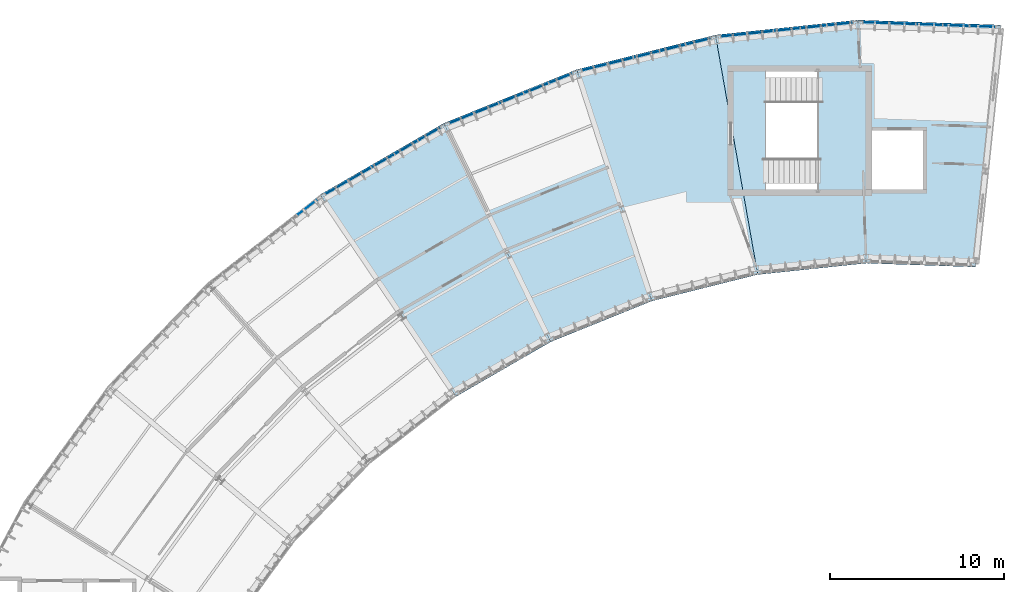
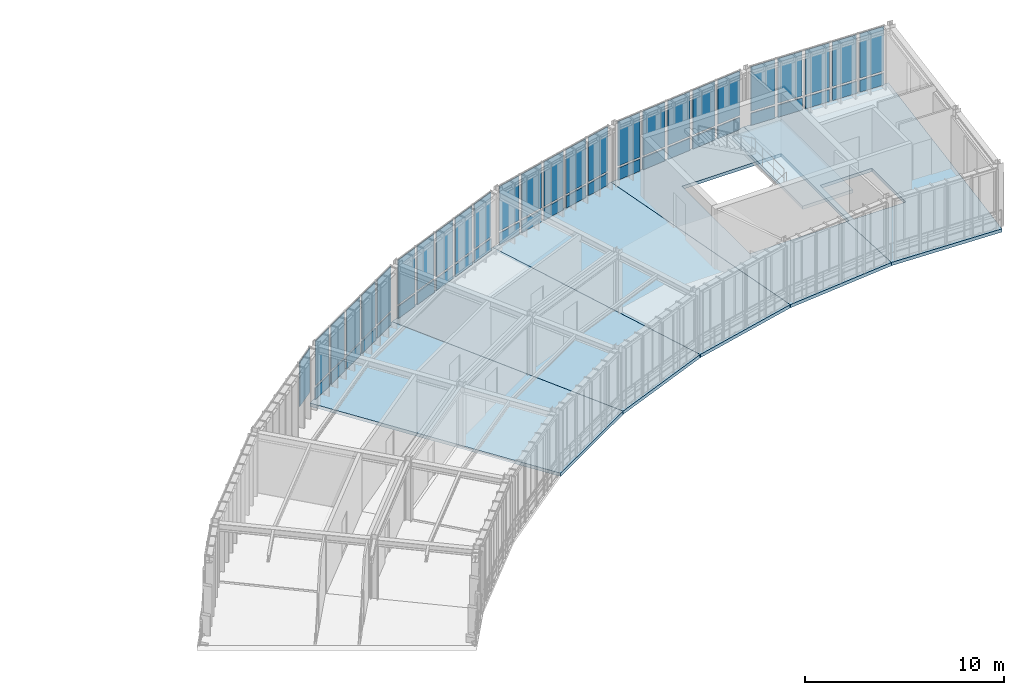
# One storey, part 22 of 41: 51 plates, 6 slabs, 7 elements without a shape of their own.
"""IFC4 building model written with IfcOpenShell, lengths in metres."""

from ifc_helpers import new_model, si_unit, direction, frame, origin, origin_2d, place, context, subcontext, project, spatial, polyline, rectangle, outline, extrude, material, layer, layer_set, type_object, element, aggregate, save


model = new_model("IFC4")

# Units and contexts
model_context = context("Model", 3, precision=1e-05, world=origin(), true_north=direction((0.0, 1.0)))
body_context = subcontext(model_context, "Body", "Model", "MODEL_VIEW")
ifc_project = project(units=[si_unit("LENGTHUNIT", "METRE"), si_unit("AREAUNIT", "SQUARE_METRE"), si_unit("VOLUMEUNIT", "CUBIC_METRE"), si_unit("PLANEANGLEUNIT", "RADIAN"), si_unit("MASSUNIT", "GRAM", prefix="KILO"), si_unit("THERMODYNAMICTEMPERATUREUNIT", "KELVIN"), si_unit("POWERUNIT", "WATT")], contexts=[model_context])

# Site, building, storey
site_placement = place(None, origin())
site = spatial("IfcSite", under=ifc_project, at=site_placement, CompositionType="ELEMENT")
building_placement = place(site_placement, origin())
building = spatial("IfcBuilding", under=site, at=building_placement, Name="Solvatero Civic Police Headquarters", CompositionType="ELEMENT")
storey_placement = place(building_placement, frame((0.0, 0.0, 17.699951171875)))
storey = spatial("IfcBuildingStorey", under=building, at=storey_placement, Name="L04", CompositionType="ELEMENT", Elevation=17.699951171875)

# Curtain wall, plates
ifc_material_1 = material(Name="Anodized Bronze Aluminium", Category="aluminium")
ifc_layer_1 = layer(ifc_material_1, 0.179931640625)
ifc_layer_set_1 = layer_set([ifc_layer_1], Name="Anodized Bronze Aluminium")
curtain_wall_type = type_object("IfcCurtainWallType", Name="CW-ARC-OUT", PredefinedType="USERDEFINED", material=ifc_layer_set_1)
curtain_wall_1_placement = place(storey_placement, origin())
curtain_wall_1 = element("IfcCurtainWall", 1, at=curtain_wall_1_placement, inside=storey, type_object=curtain_wall_type, Name="Curtain Wall CW-R2-L04-ARC-OUT-B01", ObjectType="UNITISED", PredefinedType="USERDEFINED")
ifc_material_2 = material(Name="Triple Low-E Laminated Glass", Category="glass")
ifc_layer_2 = layer(ifc_material_2, 0.0380859375)
ifc_layer_set_2 = layer_set([ifc_layer_2], Name="Triple Low-E Laminated Glass")
plate_type_1 = type_object("IfcPlateType", Name="CWP-GLZ-38", PredefinedType="CURTAIN_PANEL", material=ifc_layer_set_2)
plate_1_placement = place(storey_placement, frame((99.14501953125, 84.592529296875, 0.91015625), z_axis=(0.0, 0.0, 1.0), x_axis=(-0.999390217756, 0.034916939358, 0.0)))
plate_1 = element("IfcPlate", 2, at=plate_1_placement, type_object=plate_type_1, Name="CW-R2-L04-ARC-OUT-B01 Vision Glazing 1", PredefinedType="CURTAIN_PANEL", context=body_context, shape_type="SweptSolid", body=[
    extrude(rectangle(XDim=1.368408203125, YDim=0.0380859375, at=origin_2d()), origin(), (0.0, 0.0, 1.0), 2.72998046875),
])
plate_2_placement = place(storey_placement, frame((96.0498046875, 84.70068359375, 0.91015625), z_axis=(0.0, 0.0, 1.0), x_axis=(-0.999390217756, 0.034916939358, 0.0)))
plate_2 = element("IfcPlate", 3, at=plate_2_placement, type_object=plate_type_1, Name="CW-R2-L04-ARC-OUT-B01 Vision Glazing 3", PredefinedType="CURTAIN_PANEL", context=body_context, shape_type="SweptSolid", body=[
    extrude(rectangle(XDim=1.368408203125, YDim=0.0380859375, at=origin_2d()), origin(), (0.0, 0.0, 1.0), 2.72998046875),
])
plate_3_placement = place(storey_placement, frame((92.954833984375, 84.808837890625, 0.91015625), z_axis=(0.0, 0.0, 1.0), x_axis=(-0.999390217756, 0.034916939358, 0.0)))
plate_3 = element("IfcPlate", 4, at=plate_3_placement, type_object=plate_type_1, Name="CW-R2-L04-ARC-OUT-B01 Vision Glazing 5", PredefinedType="CURTAIN_PANEL", context=body_context, shape_type="SweptSolid", body=[
    extrude(rectangle(XDim=1.368408203125, YDim=0.0380859375, at=origin_2d()), origin(), (0.0, 0.0, 1.0), 2.72998046875),
])

curtain_wall_2_placement = place(storey_placement, origin())
curtain_wall_2 = element("IfcCurtainWall", 5, at=curtain_wall_2_placement, inside=storey, type_object=curtain_wall_type, Name="Curtain Wall CW-R2-L04-ARC-OUT-B02", ObjectType="UNITISED", PredefinedType="USERDEFINED")
plate_4_placement = place(storey_placement, frame((90.940185546875, 84.738525390625, 0.91015625), z_axis=(0.0, 0.0, 1.0), x_axis=(-0.994523719583, -0.10451110557, 0.0)))
plate_4 = element("IfcPlate", 6, at=plate_4_placement, type_object=plate_type_1, Name="CW-R2-L04-ARC-OUT-B02 Vision Glazing 1", PredefinedType="CURTAIN_PANEL", context=body_context, shape_type="SweptSolid", body=[
    extrude(rectangle(XDim=1.368408203125, YDim=0.0380859375, at=origin_2d()), origin(), (0.0, 0.0, 1.0), 2.72998046875),
])
plate_5_placement = place(storey_placement, frame((87.8603515625, 84.414794921875, 0.91015625), z_axis=(0.0, 0.0, 1.0), x_axis=(-0.994523719583, -0.10451110557, 0.0)))
plate_5 = element("IfcPlate", 7, at=plate_5_placement, type_object=plate_type_1, Name="CW-R2-L04-ARC-OUT-B02 Vision Glazing 3", PredefinedType="CURTAIN_PANEL", context=body_context, shape_type="SweptSolid", body=[
    extrude(rectangle(XDim=1.368408203125, YDim=0.0380859375, at=origin_2d()), origin(), (0.0, 0.0, 1.0), 2.72998046875),
])
plate_6_placement = place(storey_placement, frame((84.7802734375, 84.091064453125, 0.91015625), z_axis=(0.0, 0.0, 1.0), x_axis=(-0.994523719583, -0.10451110557, 0.0)))
plate_6 = element("IfcPlate", 8, at=plate_6_placement, type_object=plate_type_1, Name="CW-R2-L04-ARC-OUT-B02 Vision Glazing 5", PredefinedType="CURTAIN_PANEL", context=body_context, shape_type="SweptSolid", body=[
    extrude(rectangle(XDim=1.368408203125, YDim=0.0380859375, at=origin_2d()), origin(), (0.0, 0.0, 1.0), 2.72998046875),
])

curtain_wall_3_placement = place(storey_placement, origin())
curtain_wall_3 = element("IfcCurtainWall", 9, at=curtain_wall_3_placement, inside=storey, type_object=curtain_wall_type, Name="Curtain Wall CW-R2-L04-ARC-OUT-B03", ObjectType="UNITISED", PredefinedType="USERDEFINED")
plate_7_placement = place(storey_placement, frame((82.794189453125, 83.740966796875, 0.91015625), z_axis=(0.0, 0.0, 1.0), x_axis=(-0.970295726276, -0.2419218956, 0.0)))
plate_7 = element("IfcPlate", 10, at=plate_7_placement, type_object=plate_type_1, Name="CW-R2-L04-ARC-OUT-B03 Vision Glazing 1", PredefinedType="CURTAIN_PANEL", context=body_context, shape_type="SweptSolid", body=[
    extrude(rectangle(XDim=1.37060546875, YDim=0.0380859375, at=origin_2d()), origin(), (0.0, 0.0, 1.0), 2.72998046875),
])
plate_8_placement = place(storey_placement, frame((79.785400390625, 82.99072265625, 0.91015625), z_axis=(0.0, 0.0, 1.0), x_axis=(-0.970295726276, -0.2419218956, 0.0)))
plate_8 = element("IfcPlate", 11, at=plate_8_placement, type_object=plate_type_1, Name="CW-R2-L04-ARC-OUT-B03 Vision Glazing 3", PredefinedType="CURTAIN_PANEL", context=body_context, shape_type="SweptSolid", body=[
    extrude(rectangle(XDim=1.37060546875, YDim=0.0380859375, at=origin_2d()), origin(), (0.0, 0.0, 1.0), 2.72998046875),
])
plate_9_placement = place(storey_placement, frame((76.776611328125, 82.240478515625, 0.91015625), z_axis=(0.0, 0.0, 1.0), x_axis=(-0.970295726276, -0.2419218956, 0.0)))
plate_9 = element("IfcPlate", 12, at=plate_9_placement, type_object=plate_type_1, Name="CW-R2-L04-ARC-OUT-B03 Vision Glazing 5", PredefinedType="CURTAIN_PANEL", context=body_context, shape_type="SweptSolid", body=[
    extrude(rectangle(XDim=1.37060546875, YDim=0.0380859375, at=origin_2d()), origin(), (0.0, 0.0, 1.0), 2.72998046875),
])

curtain_wall_4_placement = place(storey_placement, origin())
curtain_wall_4 = element("IfcCurtainWall", 13, at=curtain_wall_4_placement, inside=storey, type_object=curtain_wall_type, Name="Curtain Wall CW-R2-L04-ARC-OUT-B04", ObjectType="UNITISED", PredefinedType="USERDEFINED")
plate_10_placement = place(storey_placement, frame((74.876708984375, 81.623046875, 0.91015625), z_axis=(0.0, 0.0, 1.0), x_axis=(-0.927190392544, -0.374590410948, 0.0)))
plate_10 = element("IfcPlate", 14, at=plate_10_placement, type_object=plate_type_1, Name="CW-R2-L04-ARC-OUT-B04 Vision Glazing 1", PredefinedType="CURTAIN_PANEL", context=body_context, shape_type="SweptSolid", body=[
    extrude(rectangle(XDim=1.37060546875, YDim=0.0380859375, at=origin_2d()), origin(), (0.0, 0.0, 1.0), 2.72998046875),
])
plate_11_placement = place(storey_placement, frame((72.001708984375, 80.46142578125, 0.91015625), z_axis=(0.0, 0.0, 1.0), x_axis=(-0.927190392544, -0.374590410948, 0.0)))
plate_11 = element("IfcPlate", 15, at=plate_11_placement, type_object=plate_type_1, Name="CW-R2-L04-ARC-OUT-B04 Vision Glazing 3", PredefinedType="CURTAIN_PANEL", context=body_context, shape_type="SweptSolid", body=[
    extrude(rectangle(XDim=1.37060546875, YDim=0.0380859375, at=origin_2d()), origin(), (0.0, 0.0, 1.0), 2.72998046875),
])
plate_12_placement = place(storey_placement, frame((69.126220703125, 79.2998046875, 0.91015625), z_axis=(0.0, 0.0, 1.0), x_axis=(-0.927190392544, -0.374590410948, 0.0)))
plate_12 = element("IfcPlate", 16, at=plate_12_placement, type_object=plate_type_1, Name="CW-R2-L04-ARC-OUT-B04 Vision Glazing 5", PredefinedType="CURTAIN_PANEL", context=body_context, shape_type="SweptSolid", body=[
    extrude(rectangle(XDim=1.37060546875, YDim=0.0380859375, at=origin_2d()), origin(), (0.0, 0.0, 1.0), 2.72998046875),
])

curtain_wall_5_placement = place(storey_placement, origin())
curtain_wall_5 = element("IfcCurtainWall", 17, at=curtain_wall_5_placement, inside=storey, type_object=curtain_wall_type, Name="Curtain Wall CW-R2-L04-ARC-OUT-B05", ObjectType="UNITISED", PredefinedType="USERDEFINED")
plate_13_placement = place(storey_placement, frame((67.312744140625, 78.415283203125, 0.91015625), z_axis=(0.0, 0.0, 1.0), x_axis=(-0.866025403784, -0.5, 0.0)))
plate_13 = element("IfcPlate", 18, at=plate_13_placement, type_object=plate_type_1, Name="CW-R2-L04-ARC-OUT-B05 Vision Glazing 1", PredefinedType="CURTAIN_PANEL", context=body_context, shape_type="SweptSolid", body=[
    extrude(rectangle(XDim=1.37060546875, YDim=0.0380859375, at=origin_2d()), origin(), (0.0, 0.0, 1.0), 2.72998046875),
])
plate_14_placement = place(storey_placement, frame((64.62744140625, 76.86474609375, 0.91015625), z_axis=(0.0, 0.0, 1.0), x_axis=(-0.866025403784, -0.5, 0.0)))
plate_14 = element("IfcPlate", 19, at=plate_14_placement, type_object=plate_type_1, Name="CW-R2-L04-ARC-OUT-B05 Vision Glazing 3", PredefinedType="CURTAIN_PANEL", context=body_context, shape_type="SweptSolid", body=[
    extrude(rectangle(XDim=1.37060546875, YDim=0.0380859375, at=origin_2d()), origin(), (0.0, 0.0, 1.0), 2.72998046875),
])
plate_15_placement = place(storey_placement, frame((61.94189453125, 75.314453125, 0.91015625), z_axis=(0.0, 0.0, 1.0), x_axis=(-0.866025403784, -0.5, 0.0)))
plate_15 = element("IfcPlate", 20, at=plate_15_placement, type_object=plate_type_1, Name="CW-R2-L04-ARC-OUT-B05 Vision Glazing 5", PredefinedType="CURTAIN_PANEL", context=body_context, shape_type="SweptSolid", body=[
    extrude(rectangle(XDim=1.37060546875, YDim=0.0380859375, at=origin_2d()), origin(), (0.0, 0.0, 1.0), 2.72998046875),
])

# Curtain wall, plate
curtain_wall_6_placement = place(storey_placement, origin())
curtain_wall_6 = element("IfcCurtainWall", 21, at=curtain_wall_6_placement, inside=storey, type_object=curtain_wall_type, Name="Curtain Wall CW-R2-L04-ARC-OUT-B06", ObjectType="UNITISED", PredefinedType="USERDEFINED")
plate_16_placement = place(storey_placement, frame((60.28564453125, 74.197265625, 0.91015625), z_axis=(0.0, 0.0, 1.0), x_axis=(-0.788010753607, -0.615661475326, 0.0)))
plate_16 = element("IfcPlate", 22, at=plate_16_placement, type_object=plate_type_1, Name="CW-R2-L04-ARC-OUT-B06 Vision Glazing 1", PredefinedType="CURTAIN_PANEL", context=body_context, shape_type="SweptSolid", body=[
    extrude(rectangle(XDim=1.37060546875, YDim=0.0380859375, at=origin_2d()), origin(), (0.0, 0.0, 1.0), 2.72998046875),
])
aggregate(curtain_wall_6, [plate_16])

# Plate
ifc_material_3 = material(Name="Acoustic Ballistic Laminated Glass", Category="glass")
ifc_layer_3 = layer(ifc_material_3, 0.0439453125)
ifc_layer_set_3 = layer_set([ifc_layer_3], Name="Acoustic Ballistic Laminated Glass")
plate_type_2 = type_object("IfcPlateType", Name="CWP-GLZ-44", PredefinedType="CURTAIN_PANEL", material=ifc_layer_set_3)
plate_17_placement = place(storey_placement, frame((97.597412109375, 84.646728515625, 0.91015625), z_axis=(0.0, 0.0, 1.0), x_axis=(-0.999390217756, 0.034916939358, 0.0)))
plate_17 = element("IfcPlate", 23, at=plate_17_placement, type_object=plate_type_2, Name="CW-R2-L04-ARC-OUT-B01 Vision Glazing 2", PredefinedType="CURTAIN_PANEL", context=body_context, shape_type="SweptSolid", body=[
    extrude(rectangle(XDim=1.368408203125, YDim=0.0439453125, at=origin_2d()), origin(), (0.0, 0.0, 1.0), 2.72998046875),
])

plate_18_placement = place(storey_placement, frame((94.502197265625, 84.7548828125, 0.91015625), z_axis=(0.0, 0.0, 1.0), x_axis=(-0.999390217756, 0.034916939358, 0.0)))
plate_18 = element("IfcPlate", 24, at=plate_18_placement, type_object=plate_type_2, Name="CW-R2-L04-ARC-OUT-B01 Vision Glazing 4", PredefinedType="CURTAIN_PANEL", context=body_context, shape_type="SweptSolid", body=[
    extrude(rectangle(XDim=1.368408203125, YDim=0.0439453125, at=origin_2d()), origin(), (0.0, 0.0, 1.0), 2.72998046875),
])

plate_19_placement = place(storey_placement, frame((89.400390625, 84.57666015625, 0.91015625), z_axis=(0.0, 0.0, 1.0), x_axis=(-0.994523719583, -0.10451110557, 0.0)))
plate_19 = element("IfcPlate", 25, at=plate_19_placement, type_object=plate_type_2, Name="CW-R2-L04-ARC-OUT-B02 Vision Glazing 2", PredefinedType="CURTAIN_PANEL", context=body_context, shape_type="SweptSolid", body=[
    extrude(rectangle(XDim=1.368408203125, YDim=0.0439453125, at=origin_2d()), origin(), (0.0, 0.0, 1.0), 2.72998046875),
])

plate_20_placement = place(storey_placement, frame((86.3203125, 84.2529296875, 0.91015625), z_axis=(0.0, 0.0, 1.0), x_axis=(-0.994523719583, -0.10451110557, 0.0)))
plate_20 = element("IfcPlate", 26, at=plate_20_placement, type_object=plate_type_2, Name="CW-R2-L04-ARC-OUT-B02 Vision Glazing 4", PredefinedType="CURTAIN_PANEL", context=body_context, shape_type="SweptSolid", body=[
    extrude(rectangle(XDim=1.368408203125, YDim=0.0439453125, at=origin_2d()), origin(), (0.0, 0.0, 1.0), 2.72998046875),
])

plate_21_placement = place(storey_placement, frame((81.289794921875, 83.36572265625, 0.91015625), z_axis=(0.0, 0.0, 1.0), x_axis=(-0.970295726276, -0.2419218956, 0.0)))
plate_21 = element("IfcPlate", 27, at=plate_21_placement, type_object=plate_type_2, Name="CW-R2-L04-ARC-OUT-B03 Vision Glazing 2", PredefinedType="CURTAIN_PANEL", context=body_context, shape_type="SweptSolid", body=[
    extrude(rectangle(XDim=1.37060546875, YDim=0.0439453125, at=origin_2d()), origin(), (0.0, 0.0, 1.0), 2.72998046875),
])

plate_22_placement = place(storey_placement, frame((78.281005859375, 82.615478515625, 0.91015625), z_axis=(0.0, 0.0, 1.0), x_axis=(-0.970295726276, -0.2419218956, 0.0)))
plate_22 = element("IfcPlate", 28, at=plate_22_placement, type_object=plate_type_2, Name="CW-R2-L04-ARC-OUT-B03 Vision Glazing 4", PredefinedType="CURTAIN_PANEL", context=body_context, shape_type="SweptSolid", body=[
    extrude(rectangle(XDim=1.37060546875, YDim=0.0439453125, at=origin_2d()), origin(), (0.0, 0.0, 1.0), 2.72998046875),
])

plate_23_placement = place(storey_placement, frame((73.439208984375, 81.042236328125, 0.91015625), z_axis=(0.0, 0.0, 1.0), x_axis=(-0.927190392544, -0.374590410948, 0.0)))
plate_23 = element("IfcPlate", 29, at=plate_23_placement, type_object=plate_type_2, Name="CW-R2-L04-ARC-OUT-B04 Vision Glazing 2", PredefinedType="CURTAIN_PANEL", context=body_context, shape_type="SweptSolid", body=[
    extrude(rectangle(XDim=1.37060546875, YDim=0.0439453125, at=origin_2d()), origin(), (0.0, 0.0, 1.0), 2.72998046875),
])

plate_24_placement = place(storey_placement, frame((70.56396484375, 79.880615234375, 0.91015625), z_axis=(0.0, 0.0, 1.0), x_axis=(-0.927190392544, -0.374590410948, 0.0)))
plate_24 = element("IfcPlate", 30, at=plate_24_placement, type_object=plate_type_2, Name="CW-R2-L04-ARC-OUT-B04 Vision Glazing 4", PredefinedType="CURTAIN_PANEL", context=body_context, shape_type="SweptSolid", body=[
    extrude(rectangle(XDim=1.37060546875, YDim=0.0439453125, at=origin_2d()), origin(), (0.0, 0.0, 1.0), 2.72998046875),
])

plate_25_placement = place(storey_placement, frame((65.97021484375, 77.64013671875, 0.91015625), z_axis=(0.0, 0.0, 1.0), x_axis=(-0.866025403784, -0.5, 0.0)))
plate_25 = element("IfcPlate", 31, at=plate_25_placement, type_object=plate_type_2, Name="CW-R2-L04-ARC-OUT-B05 Vision Glazing 2", PredefinedType="CURTAIN_PANEL", context=body_context, shape_type="SweptSolid", body=[
    extrude(rectangle(XDim=1.37060546875, YDim=0.0439453125, at=origin_2d()), origin(), (0.0, 0.0, 1.0), 2.72998046875),
])

plate_26_placement = place(storey_placement, frame((63.28466796875, 76.089599609375, 0.91015625), z_axis=(0.0, 0.0, 1.0), x_axis=(-0.866025403784, -0.5, 0.0)))
plate_26 = element("IfcPlate", 32, at=plate_26_placement, type_object=plate_type_2, Name="CW-R2-L04-ARC-OUT-B05 Vision Glazing 4", PredefinedType="CURTAIN_PANEL", context=body_context, shape_type="SweptSolid", body=[
    extrude(rectangle(XDim=1.37060546875, YDim=0.0439453125, at=origin_2d()), origin(), (0.0, 0.0, 1.0), 2.72998046875),
])

ifc_material_4 = material(Name="Insulated Bronze Aluminium Spandrel", Category="aluminium")
ifc_layer_4 = layer(ifc_material_4, 0.06005859375)
ifc_layer_set_4 = layer_set([ifc_layer_4], Name="Insulated Bronze Aluminium Spandrel")
plate_type_3 = type_object("IfcPlateType", Name="CWP-SPN-60", PredefinedType="CURTAIN_PANEL", material=ifc_layer_set_4)
plate_27_placement = place(storey_placement, frame((99.14501953125, 84.592529296875, 0.06005859375), z_axis=(0.0, 0.0, 1.0), x_axis=(-0.999390217756, 0.034916939358, 0.0)))
plate_27 = element("IfcPlate", 33, at=plate_27_placement, type_object=plate_type_3, Name="CW-R2-L04-ARC-OUT-B01 Spandrel Panel 1", PredefinedType="CURTAIN_PANEL", context=body_context, shape_type="SweptSolid", body=[
    extrude(rectangle(XDim=1.368408203125, YDim=0.06005859375, at=origin_2d()), origin(), (0.0, 0.0, 1.0), 0.72998046875),
])

plate_28_placement = place(storey_placement, frame((96.0498046875, 84.70068359375, 0.06005859375), z_axis=(0.0, 0.0, 1.0), x_axis=(-0.999390217756, 0.034916939358, 0.0)))
plate_28 = element("IfcPlate", 34, at=plate_28_placement, type_object=plate_type_3, Name="CW-R2-L04-ARC-OUT-B01 Spandrel Panel 3", PredefinedType="CURTAIN_PANEL", context=body_context, shape_type="SweptSolid", body=[
    extrude(rectangle(XDim=1.368408203125, YDim=0.06005859375, at=origin_2d()), origin(), (0.0, 0.0, 1.0), 0.72998046875),
])

plate_29_placement = place(storey_placement, frame((92.954833984375, 84.808837890625, 0.06005859375), z_axis=(0.0, 0.0, 1.0), x_axis=(-0.999390217756, 0.034916939358, 0.0)))
plate_29 = element("IfcPlate", 35, at=plate_29_placement, type_object=plate_type_3, Name="CW-R2-L04-ARC-OUT-B01 Spandrel Panel 5", PredefinedType="CURTAIN_PANEL", context=body_context, shape_type="SweptSolid", body=[
    extrude(rectangle(XDim=1.368408203125, YDim=0.06005859375, at=origin_2d()), origin(), (0.0, 0.0, 1.0), 0.72998046875),
])

plate_30_placement = place(storey_placement, frame((90.940185546875, 84.738525390625, 0.06005859375), z_axis=(0.0, 0.0, 1.0), x_axis=(-0.994523719583, -0.10451110557, 0.0)))
plate_30 = element("IfcPlate", 36, at=plate_30_placement, type_object=plate_type_3, Name="CW-R2-L04-ARC-OUT-B02 Spandrel Panel 1", PredefinedType="CURTAIN_PANEL", context=body_context, shape_type="SweptSolid", body=[
    extrude(rectangle(XDim=1.368408203125, YDim=0.06005859375, at=origin_2d()), origin(), (0.0, 0.0, 1.0), 0.72998046875),
])

plate_31_placement = place(storey_placement, frame((87.8603515625, 84.414794921875, 0.06005859375), z_axis=(0.0, 0.0, 1.0), x_axis=(-0.994523719583, -0.10451110557, 0.0)))
plate_31 = element("IfcPlate", 37, at=plate_31_placement, type_object=plate_type_3, Name="CW-R2-L04-ARC-OUT-B02 Spandrel Panel 3", PredefinedType="CURTAIN_PANEL", context=body_context, shape_type="SweptSolid", body=[
    extrude(rectangle(XDim=1.368408203125, YDim=0.06005859375, at=origin_2d()), origin(), (0.0, 0.0, 1.0), 0.72998046875),
])

plate_32_placement = place(storey_placement, frame((84.7802734375, 84.091064453125, 0.06005859375), z_axis=(0.0, 0.0, 1.0), x_axis=(-0.994523719583, -0.10451110557, 0.0)))
plate_32 = element("IfcPlate", 38, at=plate_32_placement, type_object=plate_type_3, Name="CW-R2-L04-ARC-OUT-B02 Spandrel Panel 5", PredefinedType="CURTAIN_PANEL", context=body_context, shape_type="SweptSolid", body=[
    extrude(rectangle(XDim=1.368408203125, YDim=0.06005859375, at=origin_2d()), origin(), (0.0, 0.0, 1.0), 0.72998046875),
])

plate_33_placement = place(storey_placement, frame((82.794189453125, 83.740966796875, 0.06005859375), z_axis=(0.0, 0.0, 1.0), x_axis=(-0.970295726276, -0.2419218956, 0.0)))
plate_33 = element("IfcPlate", 39, at=plate_33_placement, type_object=plate_type_3, Name="CW-R2-L04-ARC-OUT-B03 Spandrel Panel 1", PredefinedType="CURTAIN_PANEL", context=body_context, shape_type="SweptSolid", body=[
    extrude(rectangle(XDim=1.37060546875, YDim=0.06005859375, at=origin_2d()), origin(), (0.0, 0.0, 1.0), 0.72998046875),
])

plate_34_placement = place(storey_placement, frame((79.785400390625, 82.99072265625, 0.06005859375), z_axis=(0.0, 0.0, 1.0), x_axis=(-0.970295726276, -0.2419218956, 0.0)))
plate_34 = element("IfcPlate", 40, at=plate_34_placement, type_object=plate_type_3, Name="CW-R2-L04-ARC-OUT-B03 Spandrel Panel 3", PredefinedType="CURTAIN_PANEL", context=body_context, shape_type="SweptSolid", body=[
    extrude(rectangle(XDim=1.37060546875, YDim=0.06005859375, at=origin_2d()), origin(), (0.0, 0.0, 1.0), 0.72998046875),
])

plate_35_placement = place(storey_placement, frame((76.776611328125, 82.240478515625, 0.06005859375), z_axis=(0.0, 0.0, 1.0), x_axis=(-0.970295726276, -0.2419218956, 0.0)))
plate_35 = element("IfcPlate", 41, at=plate_35_placement, type_object=plate_type_3, Name="CW-R2-L04-ARC-OUT-B03 Spandrel Panel 5", PredefinedType="CURTAIN_PANEL", context=body_context, shape_type="SweptSolid", body=[
    extrude(rectangle(XDim=1.37060546875, YDim=0.06005859375, at=origin_2d()), origin(), (0.0, 0.0, 1.0), 0.72998046875),
])

plate_36_placement = place(storey_placement, frame((74.876708984375, 81.623046875, 0.06005859375), z_axis=(0.0, 0.0, 1.0), x_axis=(-0.927190392544, -0.374590410948, 0.0)))
plate_36 = element("IfcPlate", 42, at=plate_36_placement, type_object=plate_type_3, Name="CW-R2-L04-ARC-OUT-B04 Spandrel Panel 1", PredefinedType="CURTAIN_PANEL", context=body_context, shape_type="SweptSolid", body=[
    extrude(rectangle(XDim=1.37060546875, YDim=0.06005859375, at=origin_2d()), origin(), (0.0, 0.0, 1.0), 0.72998046875),
])

plate_37_placement = place(storey_placement, frame((72.001708984375, 80.46142578125, 0.06005859375), z_axis=(0.0, 0.0, 1.0), x_axis=(-0.927190392544, -0.374590410948, 0.0)))
plate_37 = element("IfcPlate", 43, at=plate_37_placement, type_object=plate_type_3, Name="CW-R2-L04-ARC-OUT-B04 Spandrel Panel 3", PredefinedType="CURTAIN_PANEL", context=body_context, shape_type="SweptSolid", body=[
    extrude(rectangle(XDim=1.37060546875, YDim=0.06005859375, at=origin_2d()), origin(), (0.0, 0.0, 1.0), 0.72998046875),
])

plate_38_placement = place(storey_placement, frame((69.126220703125, 79.2998046875, 0.06005859375), z_axis=(0.0, 0.0, 1.0), x_axis=(-0.927190392544, -0.374590410948, 0.0)))
plate_38 = element("IfcPlate", 44, at=plate_38_placement, type_object=plate_type_3, Name="CW-R2-L04-ARC-OUT-B04 Spandrel Panel 5", PredefinedType="CURTAIN_PANEL", context=body_context, shape_type="SweptSolid", body=[
    extrude(rectangle(XDim=1.37060546875, YDim=0.06005859375, at=origin_2d()), origin(), (0.0, 0.0, 1.0), 0.72998046875),
])

plate_39_placement = place(storey_placement, frame((67.312744140625, 78.415283203125, 0.06005859375), z_axis=(0.0, 0.0, 1.0), x_axis=(-0.866025403784, -0.5, 0.0)))
plate_39 = element("IfcPlate", 45, at=plate_39_placement, type_object=plate_type_3, Name="CW-R2-L04-ARC-OUT-B05 Spandrel Panel 1", PredefinedType="CURTAIN_PANEL", context=body_context, shape_type="SweptSolid", body=[
    extrude(rectangle(XDim=1.37060546875, YDim=0.06005859375, at=origin_2d()), origin(), (0.0, 0.0, 1.0), 0.72998046875),
])

plate_40_placement = place(storey_placement, frame((64.62744140625, 76.86474609375, 0.06005859375), z_axis=(0.0, 0.0, 1.0), x_axis=(-0.866025403784, -0.5, 0.0)))
plate_40 = element("IfcPlate", 46, at=plate_40_placement, type_object=plate_type_3, Name="CW-R2-L04-ARC-OUT-B05 Spandrel Panel 3", PredefinedType="CURTAIN_PANEL", context=body_context, shape_type="SweptSolid", body=[
    extrude(rectangle(XDim=1.37060546875, YDim=0.06005859375, at=origin_2d()), origin(), (0.0, 0.0, 1.0), 0.72998046875),
])

plate_41_placement = place(storey_placement, frame((61.94189453125, 75.314453125, 0.06005859375), z_axis=(0.0, 0.0, 1.0), x_axis=(-0.866025403784, -0.5, 0.0)))
plate_41 = element("IfcPlate", 47, at=plate_41_placement, type_object=plate_type_3, Name="CW-R2-L04-ARC-OUT-B05 Spandrel Panel 5", PredefinedType="CURTAIN_PANEL", context=body_context, shape_type="SweptSolid", body=[
    extrude(rectangle(XDim=1.37060546875, YDim=0.06005859375, at=origin_2d()), origin(), (0.0, 0.0, 1.0), 0.72998046875),
])

ifc_material_5 = material(Name="Limestone Veneer Spandrel Panel", Category="masonry")
ifc_layer_5 = layer(ifc_material_5, 0.074951171875)
ifc_layer_set_5 = layer_set([ifc_layer_5], Name="Limestone Veneer Spandrel Panel")
plate_type_4 = type_object("IfcPlateType", Name="CWP-SPN-75", PredefinedType="CURTAIN_PANEL", material=ifc_layer_set_5)
plate_42_placement = place(storey_placement, frame((97.597412109375, 84.646728515625, 0.06005859375), z_axis=(0.0, 0.0, 1.0), x_axis=(-0.999390217756, 0.034916939358, 0.0)))
plate_42 = element("IfcPlate", 48, at=plate_42_placement, type_object=plate_type_4, Name="CW-R2-L04-ARC-OUT-B01 Spandrel Panel 2", PredefinedType="CURTAIN_PANEL", context=body_context, shape_type="SweptSolid", body=[
    extrude(rectangle(XDim=1.368408203125, YDim=0.074951171875, at=origin_2d()), origin(), (0.0, 0.0, 1.0), 0.72998046875),
])

plate_43_placement = place(storey_placement, frame((94.502197265625, 84.7548828125, 0.06005859375), z_axis=(0.0, 0.0, 1.0), x_axis=(-0.999390217756, 0.034916939358, 0.0)))
plate_43 = element("IfcPlate", 49, at=plate_43_placement, type_object=plate_type_4, Name="CW-R2-L04-ARC-OUT-B01 Spandrel Panel 4", PredefinedType="CURTAIN_PANEL", context=body_context, shape_type="SweptSolid", body=[
    extrude(rectangle(XDim=1.368408203125, YDim=0.074951171875, at=origin_2d()), origin(), (0.0, 0.0, 1.0), 0.72998046875),
])

aggregate(curtain_wall_1, [plate_27, plate_1, plate_42, plate_17, plate_28, plate_2, plate_43, plate_18, plate_29, plate_3])

plate_44_placement = place(storey_placement, frame((89.400390625, 84.57666015625, 0.06005859375), z_axis=(0.0, 0.0, 1.0), x_axis=(-0.994523719583, -0.10451110557, 0.0)))
plate_44 = element("IfcPlate", 50, at=plate_44_placement, type_object=plate_type_4, Name="CW-R2-L04-ARC-OUT-B02 Spandrel Panel 2", PredefinedType="CURTAIN_PANEL", context=body_context, shape_type="SweptSolid", body=[
    extrude(rectangle(XDim=1.368408203125, YDim=0.074951171875, at=origin_2d()), origin(), (0.0, 0.0, 1.0), 0.72998046875),
])

plate_45_placement = place(storey_placement, frame((86.3203125, 84.2529296875, 0.06005859375), z_axis=(0.0, 0.0, 1.0), x_axis=(-0.994523719583, -0.10451110557, 0.0)))
plate_45 = element("IfcPlate", 51, at=plate_45_placement, type_object=plate_type_4, Name="CW-R2-L04-ARC-OUT-B02 Spandrel Panel 4", PredefinedType="CURTAIN_PANEL", context=body_context, shape_type="SweptSolid", body=[
    extrude(rectangle(XDim=1.368408203125, YDim=0.074951171875, at=origin_2d()), origin(), (0.0, 0.0, 1.0), 0.72998046875),
])

aggregate(curtain_wall_2, [plate_30, plate_4, plate_44, plate_19, plate_31, plate_5, plate_45, plate_20, plate_32, plate_6])

plate_46_placement = place(storey_placement, frame((81.289794921875, 83.36572265625, 0.06005859375), z_axis=(0.0, 0.0, 1.0), x_axis=(-0.970295726276, -0.2419218956, 0.0)))
plate_46 = element("IfcPlate", 52, at=plate_46_placement, type_object=plate_type_4, Name="CW-R2-L04-ARC-OUT-B03 Spandrel Panel 2", PredefinedType="CURTAIN_PANEL", context=body_context, shape_type="SweptSolid", body=[
    extrude(rectangle(XDim=1.37060546875, YDim=0.074951171875, at=origin_2d()), origin(), (0.0, 0.0, 1.0), 0.72998046875),
])

plate_47_placement = place(storey_placement, frame((78.281005859375, 82.615478515625, 0.06005859375), z_axis=(0.0, 0.0, 1.0), x_axis=(-0.970295726276, -0.2419218956, 0.0)))
plate_47 = element("IfcPlate", 53, at=plate_47_placement, type_object=plate_type_4, Name="CW-R2-L04-ARC-OUT-B03 Spandrel Panel 4", PredefinedType="CURTAIN_PANEL", context=body_context, shape_type="SweptSolid", body=[
    extrude(rectangle(XDim=1.37060546875, YDim=0.074951171875, at=origin_2d()), origin(), (0.0, 0.0, 1.0), 0.72998046875),
])

aggregate(curtain_wall_3, [plate_33, plate_7, plate_46, plate_21, plate_34, plate_8, plate_47, plate_22, plate_35, plate_9])

plate_48_placement = place(storey_placement, frame((73.439208984375, 81.042236328125, 0.06005859375), z_axis=(0.0, 0.0, 1.0), x_axis=(-0.927190392544, -0.374590410948, 0.0)))
plate_48 = element("IfcPlate", 54, at=plate_48_placement, type_object=plate_type_4, Name="CW-R2-L04-ARC-OUT-B04 Spandrel Panel 2", PredefinedType="CURTAIN_PANEL", context=body_context, shape_type="SweptSolid", body=[
    extrude(rectangle(XDim=1.37060546875, YDim=0.074951171875, at=origin_2d()), origin(), (0.0, 0.0, 1.0), 0.72998046875),
])

plate_49_placement = place(storey_placement, frame((70.56396484375, 79.880615234375, 0.06005859375), z_axis=(0.0, 0.0, 1.0), x_axis=(-0.927190392544, -0.374590410948, 0.0)))
plate_49 = element("IfcPlate", 55, at=plate_49_placement, type_object=plate_type_4, Name="CW-R2-L04-ARC-OUT-B04 Spandrel Panel 4", PredefinedType="CURTAIN_PANEL", context=body_context, shape_type="SweptSolid", body=[
    extrude(rectangle(XDim=1.37060546875, YDim=0.074951171875, at=origin_2d()), origin(), (0.0, 0.0, 1.0), 0.72998046875),
])

aggregate(curtain_wall_4, [plate_36, plate_10, plate_48, plate_23, plate_37, plate_11, plate_49, plate_24, plate_38, plate_12])

plate_50_placement = place(storey_placement, frame((65.97021484375, 77.64013671875, 0.06005859375), z_axis=(0.0, 0.0, 1.0), x_axis=(-0.866025403784, -0.5, 0.0)))
plate_50 = element("IfcPlate", 56, at=plate_50_placement, type_object=plate_type_4, Name="CW-R2-L04-ARC-OUT-B05 Spandrel Panel 2", PredefinedType="CURTAIN_PANEL", context=body_context, shape_type="SweptSolid", body=[
    extrude(rectangle(XDim=1.37060546875, YDim=0.074951171875, at=origin_2d()), origin(), (0.0, 0.0, 1.0), 0.72998046875),
])

plate_51_placement = place(storey_placement, frame((63.28466796875, 76.089599609375, 0.06005859375), z_axis=(0.0, 0.0, 1.0), x_axis=(-0.866025403784, -0.5, 0.0)))
plate_51 = element("IfcPlate", 57, at=plate_51_placement, type_object=plate_type_4, Name="CW-R2-L04-ARC-OUT-B05 Spandrel Panel 4", PredefinedType="CURTAIN_PANEL", context=body_context, shape_type="SweptSolid", body=[
    extrude(rectangle(XDim=1.37060546875, YDim=0.074951171875, at=origin_2d()), origin(), (0.0, 0.0, 1.0), 0.72998046875),
])

aggregate(curtain_wall_5, [plate_39, plate_13, plate_50, plate_25, plate_40, plate_14, plate_51, plate_26, plate_41, plate_15])

# Slabs
ifc_material_6 = material(Name="Concrete C35/45", Category="concrete")
ifc_layer_6 = layer(ifc_material_6, 0.199951171875)
ifc_layer_set_6 = layer_set([ifc_layer_6], Name="Concrete C35/45")
slab_type_1 = type_object("IfcSlabType", Name="SLB-COMP-200", PredefinedType="FLOOR", material=ifc_layer_set_6)
slab_1_placement = place(storey_placement, frame((0.0, 0.0, -0.199951171875)))
element("IfcSlab", 58, at=slab_1_placement, inside=storey, type_object=slab_type_1, Name="L04 Operations Arc Floor Slab Bay 1", PredefinedType="FLOOR", context=body_context, shape_type="SweptSolid", body=[
    extrude(outline(polyline([(98.703857421875, 70.75341796875), (92.429443359375, 70.97265625), (92.281982421875, 75.199951171875), (92.39990234375, 75.199951171875), (92.39990234375, 82.0), (92.04443359375, 82.0), (91.94091796875, 84.964111328125), (100.167236328125, 84.6767578125), (98.703857421875, 70.75341796875)]), holes=[polyline([(92.699951171875, 75.199951171875), (95.699951171875, 75.199951171875), (95.699951171875, 78.60009765625), (92.699951171875, 78.60009765625), (92.699951171875, 75.199951171875)])]), origin(), (0.0, 0.0, 1.0), 0.199951171875),
])
slab_2_placement = place(storey_placement, frame((0.0, 0.0, -0.199951171875)))
element("IfcSlab", 59, at=slab_2_placement, inside=storey, type_object=slab_type_1, Name="L04 Operations Arc Floor Slab Bay 2", PredefinedType="FLOOR", context=body_context, shape_type="SweptSolid", body=[
    extrude(outline(polyline([(83.7548828125, 84.103759765625), (91.93896484375, 84.9638671875), (92.04248046875, 82.0), (86.659912109375, 82.0), (86.659912109375, 75.199951171875), (92.27978515625, 75.199951171875), (92.427490234375, 70.972412109375), (86.185791015625, 70.31640625), (83.7548828125, 84.103759765625)])), origin(), (0.0, 0.0, 1.0), 0.199951171875),
])
slab_3_placement = place(storey_placement, frame((0.0, 0.0, -0.199951171875)))
element("IfcSlab", 60, at=slab_3_placement, inside=storey, type_object=slab_type_1, Name="L04 Operations Arc Floor Slab Bay 3", PredefinedType="FLOOR", context=body_context, shape_type="SweptSolid", body=[
    extrude(outline(polyline([(83.7529296875, 84.103271484375), (86.183837890625, 70.31591796875), (80.09423828125, 68.797607421875), (75.76806640625, 82.1123046875), (83.7529296875, 84.103271484375)])), origin(), (0.0, 0.0, 1.0), 0.199951171875),
])
slab_4_placement = place(storey_placement, frame((0.0, 0.0, -0.199951171875)))
element("IfcSlab", 61, at=slab_4_placement, inside=storey, type_object=slab_type_1, Name="L04 Operations Arc Floor Slab Bay 4", PredefinedType="FLOOR", context=body_context, shape_type="SweptSolid", body=[
    extrude(outline(polyline([(75.76611328125, 82.111572265625), (80.09228515625, 68.796630859375), (74.273193359375, 66.44580078125), (68.135986328125, 79.02880859375), (75.76611328125, 82.111572265625)])), origin(), (0.0, 0.0, 1.0), 0.199951171875),
])
slab_5_placement = place(storey_placement, frame((0.0, 0.0, -0.199951171875)))
element("IfcSlab", 62, at=slab_5_placement, inside=storey, type_object=slab_type_1, Name="L04 Operations Arc Floor Slab Bay 5", PredefinedType="FLOOR", context=body_context, shape_type="SweptSolid", body=[
    extrude(outline(polyline([(68.134521484375, 79.02783203125), (74.271484375, 66.444580078125), (68.836181640625, 63.306640625), (61.007568359375, 74.9130859375), (68.134521484375, 79.02783203125)])), origin(), (0.0, 0.0, 1.0), 0.199951171875),
])

# Stair, slab
ifc_material_7 = material(Name="Precast concrete C40/50", Category="concrete")
stair_type = type_object("IfcStairType", Name="STR-C145-390", PredefinedType="HALF_TURN_STAIR", material=ifc_material_7)
stair_placement = place(storey_placement, origin())
stair = element("IfcStair", 63, at=stair_placement, inside=storey, type_object=stair_type, Name="Protected Exit Stair ST-C3 (L04 to L05)", PredefinedType="HALF_TURN_STAIR")
ifc_layer_7 = layer(ifc_material_7, 0.199951171875)
ifc_layer_set_7 = layer_set([ifc_layer_7], Name="Precast concrete C40/50")
slab_type_2 = type_object("IfcSlabType", Name="SLB-LND-200", PredefinedType="LANDING", material=ifc_layer_set_7)
slab_6_placement = place(storey_placement, frame((0.0, 0.0, 1.75)))
slab_6 = element("IfcSlab", 64, at=slab_6_placement, type_object=slab_type_2, Name="ST-C3 L04 Half-Landing", PredefinedType="LANDING", context=body_context, shape_type="SweptSolid", body=[
    extrude(outline(polyline([(89.639892578125, 75.050048828125), (92.550048828125, 75.050048828125), (92.550048828125, 82.14990234375), (89.639892578125, 82.14990234375), (89.639892578125, 75.050048828125)])), origin(), (0.0, 0.0, 1.0), 0.199951171875),
])
aggregate(stair, [slab_6])

save(model, "model.ifc")
